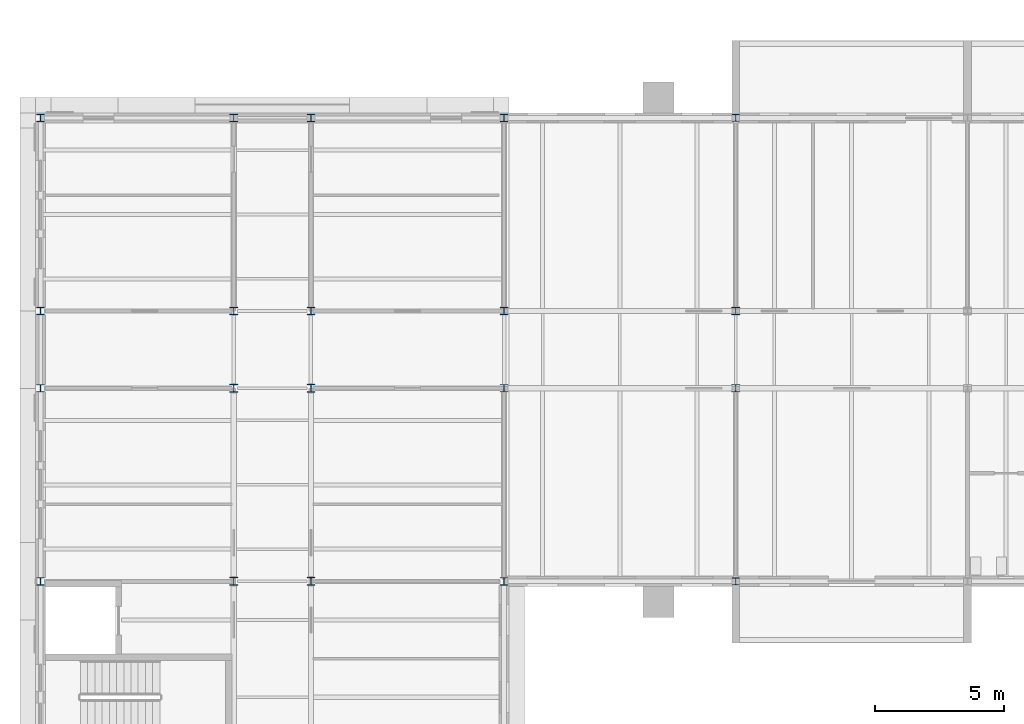
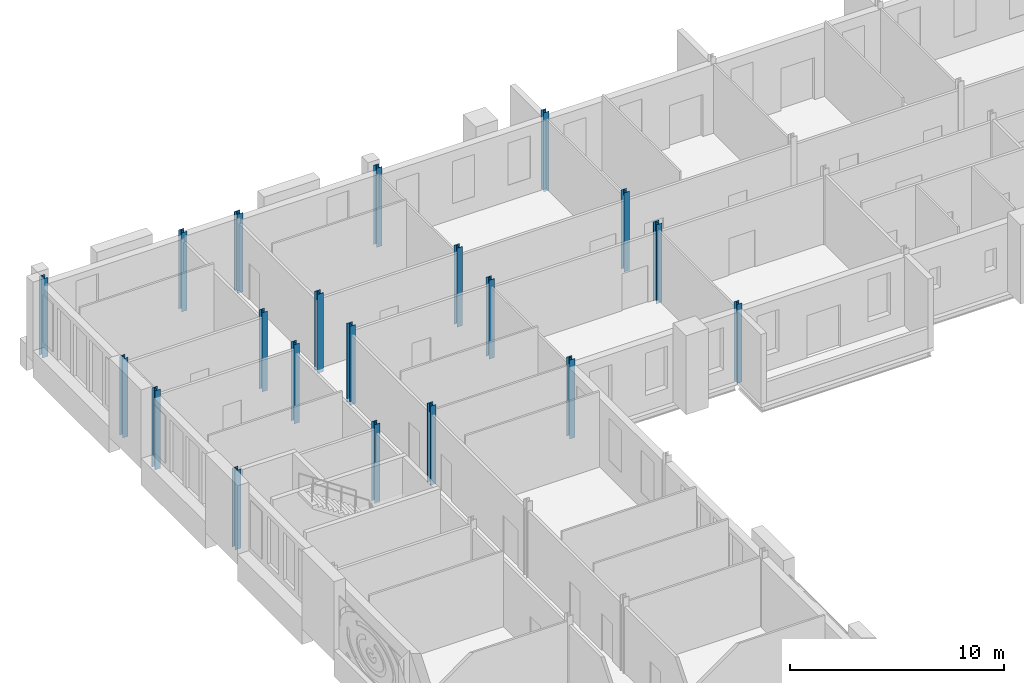
# One storey, part 9 of 131: 20 columns.
"""IFC4 building model written with IfcOpenShell, lengths in metres."""

from ifc_helpers import new_model, si_unit, direction, frame, origin, origin_2d, place, context, subcontext, project, spatial, i_section, extrude, material, material_profile, profile_set, type_object, element, save


model = new_model("IFC4")

# Units and contexts
model_context = context("Model", 3, precision=1e-05, world=origin(), true_north=direction((0.0, 1.0)))
body_context = subcontext(model_context, "Body", "Model", "MODEL_VIEW")
ifc_project = project(units=[si_unit("LENGTHUNIT", "METRE"), si_unit("AREAUNIT", "SQUARE_METRE"), si_unit("VOLUMEUNIT", "CUBIC_METRE"), si_unit("PLANEANGLEUNIT", "RADIAN"), si_unit("MASSUNIT", "GRAM", prefix="KILO")], contexts=[model_context])

# Site, building, storey
site_placement = place(None, origin())
site = spatial("IfcSite", under=ifc_project, at=site_placement, CompositionType="ELEMENT")
building_placement = place(site_placement, origin())
building = spatial("IfcBuilding", under=site, at=building_placement, Name="Golden Quay Civic Hall", CompositionType="ELEMENT")
storey_placement = place(building_placement, frame((0.0, 0.0, 9.89990234375)))
storey = spatial("IfcBuildingStorey", under=building, at=storey_placement, Name="L02", CompositionType="ELEMENT", Elevation=9.89990234375)

# Columns
ifc_material_1 = material(Name="Steel S355", Category="steel")
ifc_material_profile_1 = material_profile(ifc_material_1, i_section(OverallWidth=0.280029296875, OverallDepth=0.27001953125, WebThickness=0.008056640625, FlangeThickness=0.012939453125, FilletRadius=0.02392578125, at=origin_2d()), Name="HEA 280")
ifc_profile_set_1 = profile_set([ifc_material_profile_1], Name="Steel S355")
column_type_1 = type_object("IfcColumnType", Name="Steel column HEA 280", PredefinedType="COLUMN", material=ifc_profile_set_1)
for number, where, z_axis, x_axis, name in (
    (1, (27.0, 63.0, -0.199951171875), (0.0, 0.0, 1.0), (1.0, 0.0, 0.0), "Column 27/63 L02"),
    (2, (27.0, 81.0, -0.199951171875), (0.0, 0.0, 1.0), (1.0, 0.0, 0.0), "Column 27/81 L02"),
):
    element("IfcColumn", number, at=place(storey_placement, frame(where, z_axis=z_axis, x_axis=x_axis)), inside=storey, type_object=column_type_1, Name=name, PredefinedType="COLUMN", context=body_context, shape_type="SweptSolid", body=[
        extrude(i_section(OverallWidth=0.280029296875, OverallDepth=0.27001953125, WebThickness=0.008056640625, FlangeThickness=0.012939453125, FilletRadius=0.02392578125, at=origin_2d()), origin(), (0.0, 0.0, 1.0), 4.5),
    ])
ifc_material_2 = material(Name="Steel S355", Category="steel")
ifc_material_profile_2 = material_profile(ifc_material_2, i_section(OverallWidth=0.300048828125, OverallDepth=0.2900390625, WebThickness=0.008544921875, FlangeThickness=0.013916015625, FilletRadius=0.027099609375, at=origin_2d()), Name="HEA 300")
ifc_profile_set_2 = profile_set([ifc_material_profile_2], Name="Steel S355")
column_type_2 = type_object("IfcColumnType", Name="Steel column HEA 300", PredefinedType="COLUMN", material=ifc_profile_set_2)
for number, where, z_axis, x_axis, name in (
    (3, (0.0, 63.0, -0.199951171875), (0.0, 0.0, 1.0), (1.0, 0.0, 0.0), "Column 0/63 L02"),
    (4, (0.0, 70.5, -0.199951171875), (0.0, 0.0, 1.0), (1.0, 0.0, 0.0), "Column 0/70.5 L02"),
    (5, (0.0, 73.5, -0.199951171875), (0.0, 0.0, 1.0), (1.0, 0.0, 0.0), "Column 0/73.5 L02"),
    (6, (0.0, 81.0, -0.199951171875), (0.0, 0.0, 1.0), (1.0, 0.0, 0.0), "Column 0/81 L02"),
    (7, (7.5, 81.0, -0.199951171875), (0.0, 0.0, 1.0), (1.0, 0.0, 0.0), "Column 7.5/81 L02"),
    (8, (10.5, 81.0, -0.199951171875), (0.0, 0.0, 1.0), (1.0, 0.0, 0.0), "Column 10.5/81 L02"),
    (9, (18.0, 63.0, -0.199951171875), (0.0, 0.0, 1.0), (1.0, 0.0, 0.0), "Column 18/63 L02"),
    (10, (18.0, 70.5, -0.199951171875), (0.0, 0.0, 1.0), (1.0, 0.0, 0.0), "Column 18/70.5 L02"),
    (11, (18.0, 73.5, -0.199951171875), (0.0, 0.0, 1.0), (1.0, 0.0, 0.0), "Column 18/73.5 L02"),
    (12, (18.0, 81.0, -0.199951171875), (0.0, 0.0, 1.0), (1.0, 0.0, 0.0), "Column 18/81 L02"),
    (13, (27.0, 70.5, -0.199951171875), (0.0, 0.0, 1.0), (1.0, 0.0, 0.0), "Column 27/70.5 L02"),
    (14, (27.0, 73.5, -0.199951171875), (0.0, 0.0, 1.0), (1.0, 0.0, 0.0), "Column 27/73.5 L02"),
):
    element("IfcColumn", number, at=place(storey_placement, frame(where, z_axis=z_axis, x_axis=x_axis)), inside=storey, type_object=column_type_2, Name=name, PredefinedType="COLUMN", context=body_context, shape_type="SweptSolid", body=[
        extrude(i_section(OverallWidth=0.300048828125, OverallDepth=0.2900390625, WebThickness=0.008544921875, FlangeThickness=0.013916015625, FilletRadius=0.027099609375, at=origin_2d()), origin(), (0.0, 0.0, 1.0), 4.5),
    ])
ifc_material_3 = material(Name="Steel S355", Category="steel")
ifc_material_profile_3 = material_profile(ifc_material_3, i_section(OverallWidth=0.300048828125, OverallDepth=0.300048828125, WebThickness=0.010986328125, FlangeThickness=0.01904296875, FilletRadius=0.027099609375, at=origin_2d()), Name="HEB 300")
ifc_profile_set_3 = profile_set([ifc_material_profile_3], Name="Steel S355")
column_type_3 = type_object("IfcColumnType", Name="Steel column HEB 300", PredefinedType="COLUMN", material=ifc_profile_set_3)
for number, where, z_axis, x_axis, name in (
    (15, (7.5, 63.0, -0.199951171875), (0.0, 0.0, 1.0), (1.0, 0.0, 0.0), "Column 7.5/63 L02"),
    (16, (7.5, 70.5, -0.199951171875), (0.0, 0.0, 1.0), (1.0, 0.0, 0.0), "Column 7.5/70.5 L02"),
    (17, (7.5, 73.5, -0.199951171875), (0.0, 0.0, 1.0), (1.0, 0.0, 0.0), "Column 7.5/73.5 L02"),
    (18, (10.5, 63.0, -0.199951171875), (0.0, 0.0, 1.0), (1.0, 0.0, 0.0), "Column 10.5/63 L02"),
    (19, (10.5, 70.5, -0.199951171875), (0.0, 0.0, 1.0), (1.0, 0.0, 0.0), "Column 10.5/70.5 L02"),
    (20, (10.5, 73.5, -0.199951171875), (0.0, 0.0, 1.0), (1.0, 0.0, 0.0), "Column 10.5/73.5 L02"),
):
    element("IfcColumn", number, at=place(storey_placement, frame(where, z_axis=z_axis, x_axis=x_axis)), inside=storey, type_object=column_type_3, Name=name, PredefinedType="COLUMN", context=body_context, shape_type="SweptSolid", body=[
        extrude(i_section(OverallWidth=0.300048828125, OverallDepth=0.300048828125, WebThickness=0.010986328125, FlangeThickness=0.01904296875, FilletRadius=0.027099609375, at=origin_2d()), origin(), (0.0, 0.0, 1.0), 4.5),
    ])

save(model, "model.ifc")
